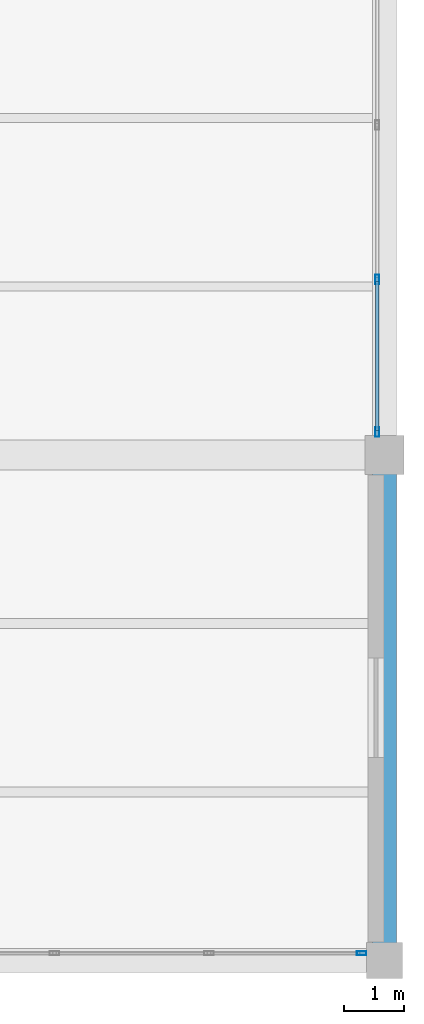
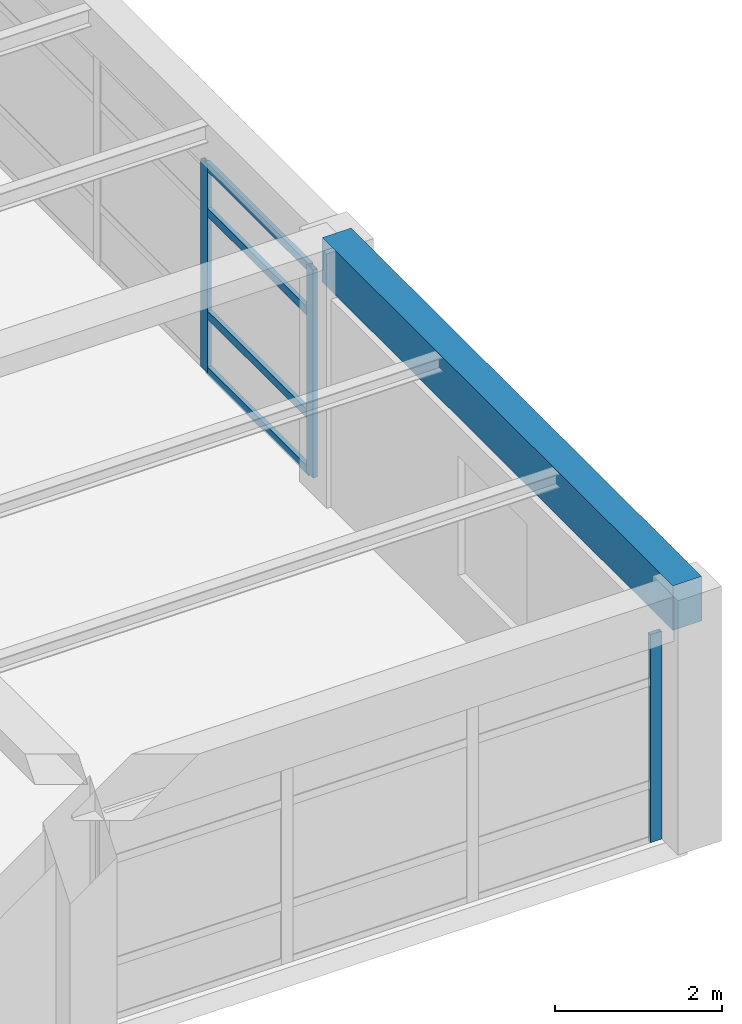
# One storey, part 12 of 26: 7 members, 1 beam, 2 elements without a shape of their own.
"""IFC4 building model written with IfcOpenShell, lengths in metres."""

from ifc_helpers import new_model, si_unit, direction, frame, origin, origin_2d, place, context, subcontext, project, spatial, rectangle, hollow_rectangle, extrude, material, material_profile, profile_set, type_object, element, aggregate, save


model = new_model("IFC4")

# Units and contexts
model_context = context("Model", 3, precision=1e-05, world=origin(), true_north=direction((0.0, 1.0)))
body_context = subcontext(model_context, "Body", "Model", "MODEL_VIEW")
ifc_project = project(units=[si_unit("LENGTHUNIT", "METRE"), si_unit("AREAUNIT", "SQUARE_METRE"), si_unit("VOLUMEUNIT", "CUBIC_METRE"), si_unit("PLANEANGLEUNIT", "RADIAN"), si_unit("MASSUNIT", "GRAM", prefix="KILO")], contexts=[model_context])

# Site, building, storey
site_placement = place(None, origin())
site = spatial("IfcSite", under=ifc_project, at=site_placement, CompositionType="ELEMENT")
building_placement = place(site_placement, origin())
building = spatial("IfcBuilding", under=site, at=building_placement, Name="Almacenes y Pasaje Nevantli", CompositionType="ELEMENT")
storey_placement = place(building_placement, frame((0.0, 0.0, 42.699951171875)))
storey = spatial("IfcBuildingStorey", under=building, at=storey_placement, Name="L10", CompositionType="ELEMENT", Elevation=42.699951171875)

# Beam
ifc_material_1 = material(Name="Concrete C35/45", Category="concrete")
ifc_material_profile_1 = material_profile(ifc_material_1, rectangle(XDim=0.39990234375, YDim=0.64990234375, at=origin_2d()), Name="RC-BM-400x650")
ifc_profile_set_1 = profile_set([ifc_material_profile_1], Name="Concrete C35/45")
beam_type = type_object("IfcBeamType", Name="BM-RC-400x650", PredefinedType="SPANDREL", material=ifc_profile_set_1)
beam_placement = place(storey_placement, frame((159.60009765625, 67.199951171875, 3.39501953125), z_axis=(0.0, 1.0, 0.0), x_axis=(-1.0, 0.0, 0.0)))
element("IfcBeam", 1, at=beam_placement, inside=storey, type_object=beam_type, Name="L10 North-South Reinforced Concrete Beam #3840", PredefinedType="SPANDREL", context=body_context, shape_type="SweptSolid", body=[
    extrude(rectangle(XDim=0.39990234375, YDim=0.64990234375, at=origin_2d()), origin(), (0.0, 0.0, 1.0), 8.400146484375),
])

# Curtain wall, member
ifc_material_2 = material(Name="Thermally Broken Aluminium and Low-E Glass", Category="aluminium")
curtain_wall_type = type_object("IfcCurtainWallType", Name="CW-UNIT-TOWER", PredefinedType="USERDEFINED", material=ifc_material_2)
curtain_wall_1_placement = place(storey_placement, origin())
curtain_wall_1 = element("IfcCurtainWall", 2, at=curtain_wall_1_placement, inside=storey, type_object=curtain_wall_type, Name="L10 Tower South Unitized Curtain Wall Bay 19", ObjectType="UNITIZED CURTAIN WALL", PredefinedType="USERDEFINED")
ifc_material_3 = material(Name="Thermally Broken Anodized Aluminium", Category="aluminium")
ifc_material_profile_2 = material_profile(ifc_material_3, hollow_rectangle(XDim=0.06005859375, YDim=0.159912109375, WallThickness=0.00390625, at=origin_2d()), Name="ALU-MUL-60x160")
ifc_profile_set_2 = profile_set([ifc_material_profile_2], Name="Thermally Broken Anodized Aluminium")
member_type_1 = type_object("IfcMemberType", Name="CW-MUL-180", PredefinedType="MULLION", material=ifc_profile_set_2)
member_1_placement = place(storey_placement, frame((159.219970703125, 67.320068359375, 0.0), z_axis=(0.0, 0.0, 1.0), x_axis=(0.0, 1.0, 0.0)))
member_1 = element("IfcMember", 3, at=member_1_placement, type_object=member_type_1, Name="CW-L10-145 mullion 4", PredefinedType="MULLION", context=body_context, shape_type="SweptSolid", body=[
    extrude(hollow_rectangle(XDim=0.06005859375, YDim=0.159912109375, WallThickness=0.00390625, at=origin_2d()), origin(), (0.0, 0.0, 1.0), 3.0400390625),
])
aggregate(curtain_wall_1, [member_1])

# Curtain wall, members
curtain_wall_2_placement = place(storey_placement, origin())
curtain_wall_2 = element("IfcCurtainWall", 4, at=curtain_wall_2_placement, inside=storey, type_object=curtain_wall_type, Name="L10 Tower East Curtain Wall Bay 10", ObjectType="UNITIZED CURTAIN WALL", PredefinedType="USERDEFINED")
member_2_placement = place(storey_placement, frame((159.47998046875, 75.97998046875, 0.0), z_axis=(0.0, 0.0, 1.0), x_axis=(-1.0, 0.0, 0.0)))
member_2 = element("IfcMember", 5, at=member_2_placement, type_object=member_type_1, Name="CW-L10-147 mullion 1", PredefinedType="MULLION", context=body_context, shape_type="SweptSolid", body=[
    extrude(hollow_rectangle(XDim=0.06005859375, YDim=0.159912109375, WallThickness=0.00390625, at=origin_2d()), origin(), (0.0, 0.0, 1.0), 3.0400390625),
])
member_3_placement = place(storey_placement, frame((159.47998046875, 78.5166015625, 0.0), z_axis=(0.0, 0.0, 1.0), x_axis=(-1.0, 0.0, 0.0)))
member_3 = element("IfcMember", 6, at=member_3_placement, type_object=member_type_1, Name="CW-L10-147 mullion 2", PredefinedType="MULLION", context=body_context, shape_type="SweptSolid", body=[
    extrude(hollow_rectangle(XDim=0.06005859375, YDim=0.159912109375, WallThickness=0.00390625, at=origin_2d()), origin(), (0.0, 0.0, 1.0), 3.0400390625),
])
ifc_material_4 = material(Name="Thermally Broken Anodized Aluminium", Category="aluminium")
ifc_material_profile_3 = material_profile(ifc_material_4, hollow_rectangle(XDim=0.06005859375, YDim=0.1201171875, WallThickness=0.00341796875, at=origin_2d()), Name="ALU-TRN-60x120")
ifc_profile_set_3 = profile_set([ifc_material_profile_3], Name="Thermally Broken Anodized Aluminium")
member_type_2 = type_object("IfcMemberType", Name="CW-TRN-130", PredefinedType="USERDEFINED", material=ifc_profile_set_3)
member_4_placement = place(storey_placement, frame((159.47998046875, 76.010009765625, 0.030029296875), z_axis=(0.0, 1.0, 0.0), x_axis=(-1.0, 0.0, 0.0)))
member_4 = element("IfcMember", 7, at=member_4_placement, type_object=member_type_2, Name="CW-L10-147 transom 1.1", ObjectType="TRANSOM", PredefinedType="USERDEFINED", context=body_context, shape_type="SweptSolid", body=[
    extrude(hollow_rectangle(XDim=0.06005859375, YDim=0.1201171875, WallThickness=0.00341796875, at=origin_2d()), origin(), (0.0, 0.0, 1.0), 2.4765625),
])
member_5_placement = place(storey_placement, frame((159.47998046875, 76.010009765625, 0.85009765625), z_axis=(0.0, 1.0, 0.0), x_axis=(-1.0, 0.0, 0.0)))
member_5 = element("IfcMember", 8, at=member_5_placement, type_object=member_type_2, Name="CW-L10-147 transom 1.2", ObjectType="TRANSOM", PredefinedType="USERDEFINED", context=body_context, shape_type="SweptSolid", body=[
    extrude(hollow_rectangle(XDim=0.06005859375, YDim=0.1201171875, WallThickness=0.00341796875, at=origin_2d()), origin(), (0.0, 0.0, 1.0), 2.4765625),
])
member_6_placement = place(storey_placement, frame((159.47998046875, 76.010009765625, 2.35009765625), z_axis=(0.0, 1.0, 0.0), x_axis=(-1.0, 0.0, 0.0)))
member_6 = element("IfcMember", 9, at=member_6_placement, type_object=member_type_2, Name="CW-L10-147 transom 1.3", ObjectType="TRANSOM", PredefinedType="USERDEFINED", context=body_context, shape_type="SweptSolid", body=[
    extrude(hollow_rectangle(XDim=0.06005859375, YDim=0.1201171875, WallThickness=0.00341796875, at=origin_2d()), origin(), (0.0, 0.0, 1.0), 2.4765625),
])
member_7_placement = place(storey_placement, frame((159.47998046875, 76.010009765625, 3.010009765625), z_axis=(0.0, 1.0, 0.0), x_axis=(-1.0, 0.0, 0.0)))
member_7 = element("IfcMember", 10, at=member_7_placement, type_object=member_type_2, Name="CW-L10-147 transom 1.4", ObjectType="TRANSOM", PredefinedType="USERDEFINED", context=body_context, shape_type="SweptSolid", body=[
    extrude(hollow_rectangle(XDim=0.06005859375, YDim=0.1201171875, WallThickness=0.00341796875, at=origin_2d()), origin(), (0.0, 0.0, 1.0), 2.4765625),
])
aggregate(curtain_wall_2, [member_2, member_3, member_4, member_5, member_6, member_7])

save(model, "model.ifc")
